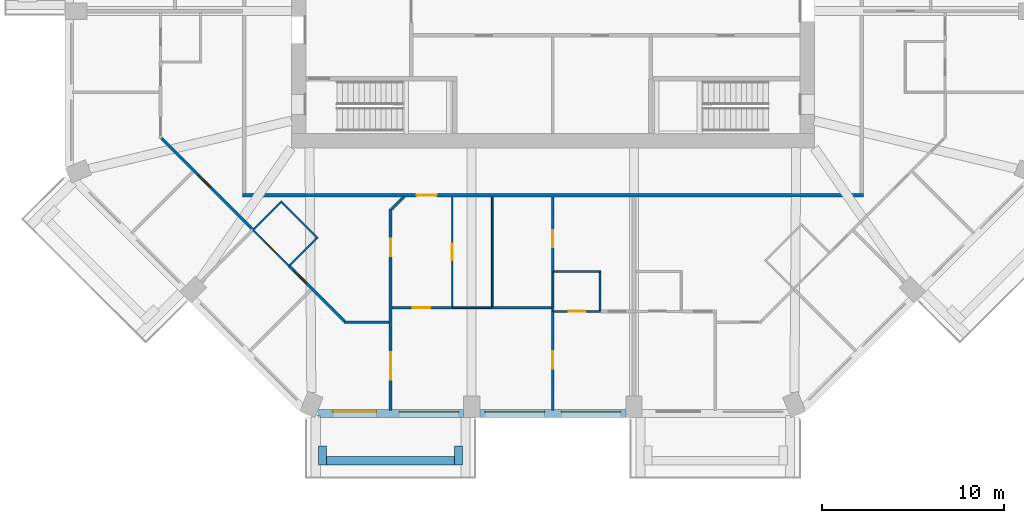
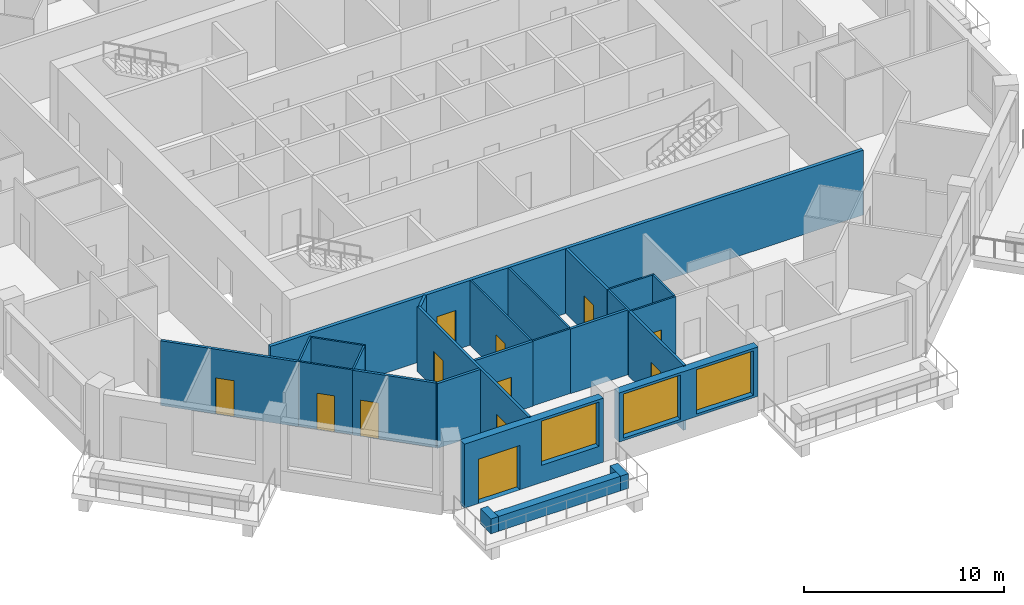
# One storey, part 3 of 13: 26 walls, 12 doors, 3 windows, 15 openings.
"""IFC4 building model written with IfcOpenShell, lengths in metres."""

from ifc_helpers import new_model, si_unit, direction, frame, frame_2d, origin, place, context, subcontext, project, spatial, rectangle, extrude, material, layer, layer_set, type_object, element, fill, save


model = new_model("IFC4")

# Units and contexts
model_context = context("Model", 3, precision=1e-05, world=origin(), true_north=direction((0.0, 1.0)))
body_context = subcontext(model_context, "Body", "Model", "MODEL_VIEW")
ifc_project = project(units=[si_unit("LENGTHUNIT", "METRE"), si_unit("AREAUNIT", "SQUARE_METRE"), si_unit("VOLUMEUNIT", "CUBIC_METRE"), si_unit("PLANEANGLEUNIT", "RADIAN"), si_unit("MASSUNIT", "GRAM", prefix="KILO")], contexts=[model_context])

# Site, building, storey
site_placement = place(None, origin())
site = spatial("IfcSite", under=ifc_project, at=site_placement, CompositionType="ELEMENT")
building_placement = place(site_placement, origin())
building = spatial("IfcBuilding", under=site, at=building_placement, Name="Msitu Wima Residences", CompositionType="ELEMENT")
storey_placement = place(building_placement, frame((0.0, 0.0, 114.89990234375)))
storey = spatial("IfcBuildingStorey", under=building, at=storey_placement, Name="L26", CompositionType="ELEMENT", Elevation=114.89990234375)

# Walls
ifc_material_1 = material(Name="Facing brick")
ifc_layer_1 = layer(ifc_material_1, 0.06494140625, Name="Facing brick")
ifc_material_2 = material(Name="Concrete C40/50", Category="concrete")
ifc_layer_2 = layer(ifc_material_2, 0.156005859375, Name="Concrete C40/50")
ifc_material_3 = material(Name="Waterproofing membrane")
ifc_layer_3 = layer(ifc_material_3, 0.00390625, Name="Waterproofing membrane")
ifc_material_4 = material(Name="Planting soil and planting")
ifc_layer_4 = layer(ifc_material_4, 0.22509765625, Name="Planting soil and planting")
ifc_layer_set_1 = layer_set([ifc_layer_1, ifc_layer_2, ifc_layer_3, ifc_layer_4], Name="Concrete C40/50")
wall_type_1 = type_object("IfcWallType", Name="Balcony planter PLANTER PL450", PredefinedType="USERDEFINED", material=ifc_layer_set_1)
wall_1_placement = place(storey_placement, frame((-12.455810546875, -29.22509765625, 0.0), z_axis=(0.0, 0.0, 1.0), x_axis=(1.0, 0.0, 0.0)))
element("IfcWall", 1, at=wall_1_placement, inside=storey, type_object=wall_type_1, Name="Balcony planter S0 L26", ObjectType="PLANTER", PredefinedType="USERDEFINED", context=body_context, shape_type="SweptSolid", body=[
    extrude(rectangle(XDim=7.037109375, YDim=0.449951171875, at=frame_2d((3.5185546875, 0.0))), origin(), (0.0, 0.0, 1.0), 0.900146484375),
])
for number, where, z_axis, x_axis, name in (
    (2, (-12.680908203125, -28.39990234375, 0.0), (0.0, 0.0, 1.0), (0.0, -1.0, 0.0), "Balcony planter S0 L26"),
    (3, (-5.193603515625, -28.39990234375, 0.0), (0.0, 0.0, 1.0), (0.0, -1.0, 0.0), "Balcony planter S0 L26"),
):
    element("IfcWall", number, at=place(storey_placement, frame(where, z_axis=z_axis, x_axis=x_axis)), inside=storey, type_object=wall_type_1, Name=name, ObjectType="PLANTER", PredefinedType="USERDEFINED", context=body_context, shape_type="SweptSolid", body=[
        extrude(rectangle(XDim=1.050048828125, YDim=0.449951171875, at=frame_2d((0.52490234375, 0.0))), origin(), (0.0, 0.0, 1.0), 0.900146484375),
    ])

# Wall, openings, door, window
ifc_material_5 = material(Name="Brick (red buff mix)", Category="masonry")
ifc_layer_5 = layer(ifc_material_5, 0.449951171875)
ifc_layer_set_2 = layer_set([ifc_layer_5], Name="Brick (red buff mix)")
wall_type_2 = type_object("IfcWallType", Name="Brick infill wall BW450", PredefinedType="SOLIDWALL", material=ifc_layer_set_2)
wall_2_placement = place(storey_placement, frame((-12.918701171875, -26.625, 0.0), z_axis=(0.0, 0.0, 1.0), x_axis=(1.0, 0.0, 0.0)))
wall_2 = element("IfcWall", 4, at=wall_2_placement, inside=storey, type_object=wall_type_2, Name="Brick infill wall L26 S0", PredefinedType="SOLIDWALL", context=body_context, shape_type="SweptSolid", body=[
    extrude(rectangle(XDim=8.0, YDim=0.449951171875, at=frame_2d((4.0, 0.0))), origin(), (0.0, 0.0, 1.0), 3.900146484375),
])
opening_1_placement = place(wall_2_placement, frame((0.800048828125, 0.0, 0.0)))
opening_1 = element("IfcOpeningElement", 5, at=opening_1_placement, cuts=wall_2, Name="Opening D25-26.006", PredefinedType="OPENING", context=body_context, shape_type="SweptSolid", body=[
    extrude(rectangle(XDim=2.39990234375, YDim=2.699951171875, at=frame_2d((1.199951171875, 1.35009765625))), frame((0.0, 0.23486328125, 0.0), z_axis=(0.0, -1.0, 0.0), x_axis=(1.0, 0.0, 0.0)), (0.0, 0.0, 1.0), 0.469970703125),
])
opening_2_placement = place(wall_2_placement, frame((4.4501953125, 0.0, 1.050048828125)))
opening_2 = element("IfcOpeningElement", 6, at=opening_2_placement, cuts=wall_2, Name="Opening W25-26.016", PredefinedType="OPENING", context=body_context, shape_type="SweptSolid", body=[
    extrude(rectangle(XDim=3.300048828125, YDim=2.699951171875, at=frame_2d((1.64990234375, 1.35009765625))), frame((0.0, 0.23486328125, 0.0), z_axis=(0.0, -1.0, 0.0), x_axis=(1.0, 0.0, 0.0)), (0.0, 0.0, 1.0), 0.469970703125),
])
ifc_material_6 = material(Name="Anodised aluminium, bronze finish, clear low-emissivity double glazing", Category="aluminium")
door_type_1 = type_object("IfcDoorType", Name="Balcony door D2400x2700", OperationType="SLIDING_TO_LEFT", PredefinedType="DOOR", material=ifc_material_6)
door_1_placement = place(opening_1_placement, origin())
door_1 = element("IfcDoor", 7, at=door_1_placement, inside=storey, type_object=door_type_1, Name="Balcony door L26 S0", OperationType="SINGLE_SWING_LEFT", OverallHeight=2.699951171875, OverallWidth=2.39990234375, PredefinedType="DOOR", context=body_context, shape_type="SweptSolid", body=[
    extrude(rectangle(XDim=2.39990234375, YDim=2.699951171875, at=frame_2d((1.199951171875, 1.35009765625))), frame((0.0, 0.1298828125, 0.0), z_axis=(0.0, -1.0, 0.0), x_axis=(1.0, 0.0, 0.0)), (0.0, 0.0, 1.0), 0.050048828125),
])
fill(opening_1, door_1)
window_type = type_object("IfcWindowType", Name="Window W3300x2700", PartitioningType="DOUBLE_PANEL_VERTICAL", PredefinedType="WINDOW", material=ifc_material_6)
window_1_placement = place(opening_2_placement, origin())
window_1 = element("IfcWindow", 8, at=window_1_placement, inside=storey, type_object=window_type, Name="Window L26 S0.2", OverallHeight=2.699951171875, OverallWidth=3.300048828125, PartitioningType="SINGLE_PANEL", PredefinedType="WINDOW", context=body_context, shape_type="SweptSolid", body=[
    extrude(rectangle(XDim=3.300048828125, YDim=2.699951171875, at=frame_2d((1.64990234375, 1.35009765625))), frame((0.0, 0.135009765625, 0.0), z_axis=(0.0, -1.0, 0.0), x_axis=(1.0, 0.0, 0.0)), (0.0, 0.0, 1.0), 0.06005859375),
])
fill(opening_2, window_1)

# Wall, openings, windows
wall_3_placement = place(storey_placement, frame((-4.0185546875, -26.625, 0.900146484375), z_axis=(0.0, 0.0, 1.0), x_axis=(1.0, 0.0, 0.0)))
wall_3 = element("IfcWall", 9, at=wall_3_placement, inside=storey, type_object=wall_type_2, Name="Brick infill wall L26 S1", PredefinedType="SOLIDWALL", context=body_context, shape_type="SweptSolid", body=[
    extrude(rectangle(XDim=8.037109375, YDim=0.449951171875, at=frame_2d((4.0185546875, 0.0))), origin(), (0.0, 0.0, 1.0), 3.0),
])
opening_3_placement = place(wall_3_placement, frame((0.2685546875, 0.0, 0.14990234375)))
opening_3 = element("IfcOpeningElement", 10, at=opening_3_placement, cuts=wall_3, Name="Opening W25-26.017", PredefinedType="OPENING", context=body_context, shape_type="SweptSolid", body=[
    extrude(rectangle(XDim=3.300048828125, YDim=2.699951171875, at=frame_2d((1.64990234375, 1.35009765625))), frame((0.0, 0.23486328125, 0.0), z_axis=(0.0, -1.0, 0.0), x_axis=(1.0, 0.0, 0.0)), (0.0, 0.0, 1.0), 0.469970703125),
])
opening_4_placement = place(wall_3_placement, frame((4.46875, 0.0, 0.14990234375)))
opening_4 = element("IfcOpeningElement", 11, at=opening_4_placement, cuts=wall_3, Name="Opening W25-26.018", PredefinedType="OPENING", context=body_context, shape_type="SweptSolid", body=[
    extrude(rectangle(XDim=3.300048828125, YDim=2.699951171875, at=frame_2d((1.64990234375, 1.35009765625))), frame((0.0, 0.23486328125, 0.0), z_axis=(0.0, -1.0, 0.0), x_axis=(1.0, 0.0, 0.0)), (0.0, 0.0, 1.0), 0.469970703125),
])
window_2_placement = place(opening_3_placement, origin())
window_2 = element("IfcWindow", 12, at=window_2_placement, inside=storey, type_object=window_type, Name="Window L26 S1.1", OverallHeight=2.699951171875, OverallWidth=3.300048828125, PartitioningType="SINGLE_PANEL", PredefinedType="WINDOW", context=body_context, shape_type="SweptSolid", body=[
    extrude(rectangle(XDim=3.300048828125, YDim=2.699951171875, at=frame_2d((1.64990234375, 1.35009765625))), frame((0.0, 0.135009765625, 0.0), z_axis=(0.0, -1.0, 0.0), x_axis=(1.0, 0.0, 0.0)), (0.0, 0.0, 1.0), 0.06005859375),
])
fill(opening_3, window_2)
window_3_placement = place(opening_4_placement, origin())
window_3 = element("IfcWindow", 13, at=window_3_placement, inside=storey, type_object=window_type, Name="Window L26 S1.2", OverallHeight=2.699951171875, OverallWidth=3.300048828125, PartitioningType="SINGLE_PANEL", PredefinedType="WINDOW", context=body_context, shape_type="SweptSolid", body=[
    extrude(rectangle(XDim=3.300048828125, YDim=2.699951171875, at=frame_2d((1.64990234375, 1.35009765625))), frame((0.0, 0.135009765625, 0.0), z_axis=(0.0, -1.0, 0.0), x_axis=(1.0, 0.0, 0.0)), (0.0, 0.0, 1.0), 0.06005859375),
])
fill(opening_4, window_3)

# Wall, opening, door
ifc_material_7 = material(Name="Plaster")
ifc_layer_6 = layer(ifc_material_7, 0.011962890625, Name="Plaster")
ifc_material_8 = material(Name="Concrete blockwork", Category="masonry")
ifc_layer_7 = layer(ifc_material_8, 0.176025390625, Name="Concrete blockwork")
ifc_layer_8 = layer(ifc_material_7, 0.011962890625, Name="Plaster")
ifc_layer_set_3 = layer_set([ifc_layer_6, ifc_layer_7, ifc_layer_8], Name="Concrete blockwork")
wall_type_3 = type_object("IfcWallType", Name="Corridor wall FW200", PredefinedType="PARTITIONING", material=ifc_layer_set_3)
wall_4_placement = place(storey_placement, frame((-17.10009765625, -14.60009765625, 0.0), z_axis=(0.0, 0.0, 1.0), x_axis=(1.0, 0.0, 0.0)))
wall_4 = element("IfcWall", 14, at=wall_4_placement, inside=storey, type_object=wall_type_3, Name="Corridor wall", PredefinedType="PARTITIONING", context=body_context, shape_type="SweptSolid", body=[
    extrude(rectangle(XDim=34.2001953125, YDim=0.199951171875, at=frame_2d((17.10009765625, 0.0))), origin(), (0.0, 0.0, 1.0), 3.9501953125),
])
opening_5_placement = place(wall_4_placement, frame((9.60009765625, 0.0, 0.0)))
opening_5 = element("IfcOpeningElement", 15, at=opening_5_placement, cuts=wall_4, Name="Opening D25-26.013", PredefinedType="OPENING", context=body_context, shape_type="SweptSolid", body=[
    extrude(rectangle(XDim=1.10009765625, YDim=2.39990234375, at=frame_2d((0.550048828125, 1.199951171875))), frame((0.0, 0.10986328125, 0.0), z_axis=(0.0, -1.0, 0.0), x_axis=(1.0, 0.0, 0.0)), (0.0, 0.0, 1.0), 0.219970703125),
])
ifc_material_9 = material(Name="Timber flush door, fire resisting, self-closing", Category="wood")
door_type_2 = type_object("IfcDoorType", Name="Flat entrance door D01 1100x2400", OperationType="SINGLE_SWING_LEFT", PredefinedType="DOOR", material=ifc_material_9)
door_2_placement = place(opening_5_placement, origin())
door_2 = element("IfcDoor", 16, at=door_2_placement, inside=storey, type_object=door_type_2, Name="Flat entrance door", OperationType="SINGLE_SWING_RIGHT", OverallHeight=2.39990234375, OverallWidth=1.10009765625, PredefinedType="DOOR", context=body_context, shape_type="SweptSolid", body=[
    extrude(rectangle(XDim=1.10009765625, YDim=2.39990234375, at=frame_2d((0.550048828125, 1.199951171875))), frame((0.0, 0.02490234375, 0.0), z_axis=(0.0, -1.0, 0.0), x_axis=(1.0, 0.0, 0.0)), (0.0, 0.0, 1.0), 0.050048828125),
])
fill(opening_5, door_2)

ifc_layer_9 = layer(ifc_material_7, 0.011962890625, Name="Plaster")
ifc_layer_10 = layer(ifc_material_8, 0.1259765625, Name="Concrete blockwork")
ifc_layer_11 = layer(ifc_material_7, 0.011962890625, Name="Plaster")
ifc_layer_set_4 = layer_set([ifc_layer_9, ifc_layer_10, ifc_layer_11], Name="Concrete blockwork")
wall_type_4 = type_object("IfcWallType", Name="Partition PW150", PredefinedType="PARTITIONING", material=ifc_layer_set_4)
wall_5_placement = place(storey_placement, frame((-21.546875, -11.470703125, 0.0), z_axis=(0.0, 0.0, 1.0), x_axis=(0.707106781187, -0.707106781187, 0.0)))
wall_5 = element("IfcWall", 17, at=wall_5_placement, inside=storey, type_object=wall_type_4, Name="Partition", PredefinedType="PARTITIONING", context=body_context, shape_type="SweptSolid", body=[
    extrude(rectangle(XDim=7.125, YDim=0.14990234375, at=frame_2d((3.5625, 0.0))), origin(), (0.0, 0.0, 1.0), 3.9501953125),
])
opening_6_placement = place(wall_5_placement, frame((2.85009765625, 0.0, 0.0)))
opening_6 = element("IfcOpeningElement", 18, at=opening_6_placement, cuts=wall_5, Name="Opening D25-26.062", PredefinedType="OPENING", context=body_context, shape_type="SweptSolid", body=[
    extrude(rectangle(XDim=0.949951171875, YDim=2.199951171875, at=frame_2d((0.47509765625, 1.10009765625))), frame((0.0, 0.0849609375, 0.0), z_axis=(0.0, -1.0, 0.0), x_axis=(1.0, 0.0, 0.0)), (0.0, 0.0, 1.0), 0.169921875),
])
ifc_material_10 = material(Name="Timber flush door", Category="wood")
door_type_3 = type_object("IfcDoorType", Name="Room door D12 950x2200", OperationType="SINGLE_SWING_LEFT", PredefinedType="DOOR", material=ifc_material_10)
door_3_placement = place(opening_6_placement, origin())
door_3 = element("IfcDoor", 19, at=door_3_placement, inside=storey, type_object=door_type_3, Name="Room door", OperationType="SINGLE_SWING_RIGHT", OverallHeight=2.199951171875, OverallWidth=0.949951171875, PredefinedType="DOOR", context=body_context, shape_type="SweptSolid", body=[
    extrude(rectangle(XDim=0.949951171875, YDim=2.199951171875, at=frame_2d((0.47509765625, 1.10009765625))), frame((0.0, 0.02490234375, 0.0), z_axis=(0.0, -1.0, 0.0), x_axis=(1.0, 0.0, 0.0)), (0.0, 0.0, 1.0), 0.050048828125),
])
fill(opening_6, door_3)

wall_6_placement = place(storey_placement, frame((-14.529052734375, -18.48876953125, 0.0), z_axis=(0.0, 0.0, 1.0), x_axis=(0.707135005059, -0.707078556188, 0.0)))
wall_6 = element("IfcWall", 20, at=wall_6_placement, inside=storey, type_object=wall_type_4, Name="Partition", PredefinedType="PARTITIONING", context=body_context, shape_type="SweptSolid", body=[
    extrude(rectangle(XDim=4.324951171875, YDim=0.14990234375, at=frame_2d((2.16259765625, 0.0))), origin(), (0.0, 0.0, 1.0), 3.9501953125),
])
opening_7_placement = place(wall_6_placement, frame((0.39990234375, 0.0, 0.0)))
opening_7 = element("IfcOpeningElement", 21, at=opening_7_placement, cuts=wall_6, Name="Opening D25-26.066", PredefinedType="OPENING", context=body_context, shape_type="SweptSolid", body=[
    extrude(rectangle(XDim=0.949951171875, YDim=2.199951171875, at=frame_2d((0.47509765625, 1.10009765625))), frame((0.0, 0.0849609375, 0.0), z_axis=(0.0, -1.0, 0.0), x_axis=(1.0, 0.0, 0.0)), (0.0, 0.0, 1.0), 0.169921875),
])
door_4_placement = place(opening_7_placement, origin())
door_4 = element("IfcDoor", 22, at=door_4_placement, inside=storey, type_object=door_type_3, Name="Room door", OperationType="SINGLE_SWING_LEFT", OverallHeight=2.199951171875, OverallWidth=0.949951171875, PredefinedType="DOOR", context=body_context, shape_type="SweptSolid", body=[
    extrude(rectangle(XDim=0.949951171875, YDim=2.199951171875, at=frame_2d((0.47509765625, 1.10009765625))), frame((0.0, 0.02490234375, 0.0), z_axis=(0.0, -1.0, 0.0), x_axis=(1.0, 0.0, 0.0)), (0.0, 0.0, 1.0), 0.050048828125),
])
fill(opening_7, door_4)

# Wall
wall_7_placement = place(storey_placement, frame((-11.49267578125, -21.60009765625, 0.0), z_axis=(0.0, 0.0, 1.0), x_axis=(1.0, 0.0, 0.0)))
element("IfcWall", 23, at=wall_7_placement, inside=storey, type_object=wall_type_4, Name="Partition", PredefinedType="PARTITIONING", context=body_context, shape_type="SweptSolid", body=[
    extrude(rectangle(XDim=2.48046875, YDim=0.14990234375, at=frame_2d((1.240234375, 0.0))), origin(), (0.0, 0.0, 1.0), 3.9501953125),
])

# Wall, openings, doors
wall_8_placement = place(storey_placement, frame((-8.937255859375, -26.455078125, 0.0), z_axis=(0.0, 0.0, 1.0), x_axis=(0.0, 1.0, 0.0)))
wall_8 = element("IfcWall", 24, at=wall_8_placement, inside=storey, type_object=wall_type_4, Name="Partition", PredefinedType="PARTITIONING", context=body_context, shape_type="SweptSolid", body=[
    extrude(rectangle(XDim=11.095703125, YDim=0.14990234375, at=frame_2d((5.5478515625, 0.0))), origin(), (0.0, 0.0, 1.0), 3.9501953125),
])
opening_8_placement = place(wall_8_placement, frame((8.5, 0.0, 0.0)))
opening_8 = element("IfcOpeningElement", 25, at=opening_8_placement, cuts=wall_8, Name="Opening D25-26.061", PredefinedType="OPENING", context=body_context, shape_type="SweptSolid", body=[
    extrude(rectangle(XDim=0.949951171875, YDim=2.199951171875, at=frame_2d((0.47509765625, 1.10009765625))), frame((0.0, 0.0849609375, 0.0), z_axis=(0.0, -1.0, 0.0), x_axis=(1.0, 0.0, 0.0)), (0.0, 0.0, 1.0), 0.169921875),
])
opening_9_placement = place(wall_8_placement, frame((1.699951171875, 0.0, 0.0)))
opening_9 = element("IfcOpeningElement", 26, at=opening_9_placement, cuts=wall_8, Name="Opening D25-26.070", PredefinedType="OPENING", context=body_context, shape_type="SweptSolid", body=[
    extrude(rectangle(XDim=1.5, YDim=2.199951171875, at=frame_2d((0.75, 1.10009765625))), frame((0.0, 0.0849609375, 0.0), z_axis=(0.0, -1.0, 0.0), x_axis=(1.0, 0.0, 0.0)), (0.0, 0.0, 1.0), 0.169921875),
])
ifc_material_11 = material(Name="Timber double door", Category="wood")
door_type_4 = type_object("IfcDoorType", Name="Double door D04 1500x2200", OperationType="DOUBLE_DOOR_SINGLE_SWING", PredefinedType="DOOR", material=ifc_material_11)
door_5_placement = place(opening_9_placement, origin())
door_5 = element("IfcDoor", 27, at=door_5_placement, inside=storey, type_object=door_type_4, Name="Double door", OperationType="DOUBLE_DOOR_SINGLE_SWING", OverallHeight=2.199951171875, OverallWidth=1.5, PredefinedType="DOOR", context=body_context, shape_type="SweptSolid", body=[
    extrude(rectangle(XDim=1.5, YDim=2.199951171875, at=frame_2d((0.75, 1.10009765625))), frame((0.0, 0.02490234375, 0.0), z_axis=(0.0, -1.0, 0.0), x_axis=(1.0, 0.0, 0.0)), (0.0, 0.0, 1.0), 0.050048828125),
])
fill(opening_9, door_5)
door_6_placement = place(opening_8_placement, origin())
door_6 = element("IfcDoor", 28, at=door_6_placement, inside=storey, type_object=door_type_3, Name="Room door", OperationType="SINGLE_SWING_RIGHT", OverallHeight=2.199951171875, OverallWidth=0.949951171875, PredefinedType="DOOR", context=body_context, shape_type="SweptSolid", body=[
    extrude(rectangle(XDim=0.949951171875, YDim=2.199951171875, at=frame_2d((0.47509765625, 1.10009765625))), frame((0.0, 0.02490234375, 0.0), z_axis=(0.0, -1.0, 0.0), x_axis=(1.0, 0.0, 0.0)), (0.0, 0.0, 1.0), 0.050048828125),
])
fill(opening_8, door_6)

# Wall, opening, door
wall_9_placement = place(storey_placement, frame((-8.8623046875, -20.800048828125, 0.0), z_axis=(0.0, 0.0, 1.0), x_axis=(1.0, 0.0, 0.0)))
wall_9 = element("IfcWall", 29, at=wall_9_placement, inside=storey, type_object=wall_type_4, Name="Partition", PredefinedType="PARTITIONING", context=body_context, shape_type="SweptSolid", body=[
    extrude(rectangle(XDim=3.344970703125, YDim=0.14990234375, at=frame_2d((1.67236328125, 0.0))), origin(), (0.0, 0.0, 1.0), 3.9501953125),
])
opening_10_placement = place(wall_9_placement, frame((1.14990234375, 0.0, 0.0)))
opening_10 = element("IfcOpeningElement", 30, at=opening_10_placement, cuts=wall_9, Name="Opening D25-26.065", PredefinedType="OPENING", context=body_context, shape_type="SweptSolid", body=[
    extrude(rectangle(XDim=0.949951171875, YDim=2.199951171875, at=frame_2d((0.47509765625, 1.10009765625))), frame((0.0, 0.0849609375, 0.0), z_axis=(0.0, -1.0, 0.0), x_axis=(1.0, 0.0, 0.0)), (0.0, 0.0, 1.0), 0.169921875),
])
door_7_placement = place(opening_10_placement, origin())
door_7 = element("IfcDoor", 31, at=door_7_placement, inside=storey, type_object=door_type_3, Name="Room door", OperationType="SINGLE_SWING_RIGHT", OverallHeight=2.199951171875, OverallWidth=0.949951171875, PredefinedType="DOOR", context=body_context, shape_type="SweptSolid", body=[
    extrude(rectangle(XDim=0.949951171875, YDim=2.199951171875, at=frame_2d((0.47509765625, 1.10009765625))), frame((0.0, 0.02490234375, 0.0), z_axis=(0.0, -1.0, 0.0), x_axis=(1.0, 0.0, 0.0)), (0.0, 0.0, 1.0), 0.050048828125),
])
fill(opening_10, door_7)

# Walls
wall_10_placement = place(storey_placement, frame((-8.88427734375, -15.38134765625, 0.0), z_axis=(0.0, 0.0, 1.0), x_axis=(0.707106781187, 0.707106781187, 0.0)))
element("IfcWall", 32, at=wall_10_placement, inside=storey, type_object=wall_type_4, Name="Partition", PredefinedType="PARTITIONING", context=body_context, shape_type="SweptSolid", body=[
    extrude(rectangle(XDim=1.005126953125, YDim=0.14990234375, at=frame_2d((0.50244140625, 0.0))), origin(), (0.0, 0.0, 1.0), 3.9501953125),
])
wall_11_placement = place(storey_placement, frame((-3.357177734375, -20.800048828125, 0.0), z_axis=(0.0, 0.0, 1.0), x_axis=(1.0, 0.0, 0.0)))
element("IfcWall", 33, at=wall_11_placement, inside=storey, type_object=wall_type_4, Name="Partition", PredefinedType="PARTITIONING", context=body_context, shape_type="SweptSolid", body=[
    extrude(rectangle(XDim=3.30712890625, YDim=0.14990234375, at=frame_2d((1.653564453125, 0.0))), origin(), (0.0, 0.0, 1.0), 3.9501953125),
])

# Wall, opening, door
wall_12_placement = place(storey_placement, frame((0.0, -26.455078125, 0.0), z_axis=(0.0, 0.0, 1.0), x_axis=(0.0, 1.0, 0.0)))
wall_12 = element("IfcWall", 34, at=wall_12_placement, inside=storey, type_object=wall_type_4, Name="Partition", PredefinedType="PARTITIONING", context=body_context, shape_type="SweptSolid", body=[
    extrude(rectangle(XDim=5.47509765625, YDim=0.14990234375, at=frame_2d((2.737548828125, 0.0))), origin(), (0.0, 0.0, 1.0), 3.9501953125),
])
opening_11_placement = place(wall_12_placement, frame((2.300048828125, 0.0, 0.0)))
opening_11 = element("IfcOpeningElement", 35, at=opening_11_placement, cuts=wall_12, Name="Opening D25-26.072", PredefinedType="OPENING", context=body_context, shape_type="SweptSolid", body=[
    extrude(rectangle(XDim=0.949951171875, YDim=2.199951171875, at=frame_2d((0.47509765625, 1.10009765625))), frame((0.0, 0.0849609375, 0.0), z_axis=(0.0, -1.0, 0.0), x_axis=(1.0, 0.0, 0.0)), (0.0, 0.0, 1.0), 0.169921875),
])
door_8_placement = place(opening_11_placement, origin())
door_8 = element("IfcDoor", 36, at=door_8_placement, inside=storey, type_object=door_type_3, Name="Room door", OperationType="SINGLE_SWING_RIGHT", OverallHeight=2.199951171875, OverallWidth=0.949951171875, PredefinedType="DOOR", context=body_context, shape_type="SweptSolid", body=[
    extrude(rectangle(XDim=0.949951171875, YDim=2.199951171875, at=frame_2d((0.47509765625, 1.10009765625))), frame((0.0, 0.02490234375, 0.0), z_axis=(0.0, -1.0, 0.0), x_axis=(1.0, 0.0, 0.0)), (0.0, 0.0, 1.0), 0.050048828125),
])
fill(opening_11, door_8)

wall_13_placement = place(storey_placement, frame((0.0, -18.820068359375, 0.0), z_axis=(0.0, 0.0, 1.0), x_axis=(0.0, 1.0, 0.0)))
wall_13 = element("IfcWall", 37, at=wall_13_placement, inside=storey, type_object=wall_type_4, Name="Partition", PredefinedType="PARTITIONING", context=body_context, shape_type="SweptSolid", body=[
    extrude(rectangle(XDim=4.1201171875, YDim=0.14990234375, at=frame_2d((2.06005859375, 0.0))), origin(), (0.0, 0.0, 1.0), 3.9501953125),
])
opening_12_placement = place(wall_13_placement, frame((1.35009765625, 0.0, 0.0)))
opening_12 = element("IfcOpeningElement", 38, at=opening_12_placement, cuts=wall_13, Name="Opening D25-26.076", PredefinedType="OPENING", context=body_context, shape_type="SweptSolid", body=[
    extrude(rectangle(XDim=0.949951171875, YDim=2.199951171875, at=frame_2d((0.47509765625, 1.10009765625))), frame((0.0, 0.0849609375, 0.0), z_axis=(0.0, -1.0, 0.0), x_axis=(1.0, 0.0, 0.0)), (0.0, 0.0, 1.0), 0.169921875),
])
door_9_placement = place(opening_12_placement, origin())
door_9 = element("IfcDoor", 39, at=door_9_placement, inside=storey, type_object=door_type_3, Name="Room door", OperationType="SINGLE_SWING_RIGHT", OverallHeight=2.199951171875, OverallWidth=0.949951171875, PredefinedType="DOOR", context=body_context, shape_type="SweptSolid", body=[
    extrude(rectangle(XDim=0.949951171875, YDim=2.199951171875, at=frame_2d((0.47509765625, 1.10009765625))), frame((0.0, 0.02490234375, 0.0), z_axis=(0.0, -1.0, 0.0), x_axis=(1.0, 0.0, 0.0)), (0.0, 0.0, 1.0), 0.050048828125),
])
fill(opening_12, door_9)

# Wall
ifc_material_12 = material(Name="Ceramic tiles")
ifc_layer_12 = layer(ifc_material_12, 0.008056640625, Name="Ceramic tiles")
ifc_material_13 = material(Name="Moisture-resistant board")
ifc_layer_13 = layer(ifc_material_13, 0.012451171875, Name="Moisture-resistant board")
ifc_material_14 = material(Name="Light-gauge stud framing with mineral wool")
ifc_layer_14 = layer(ifc_material_14, 0.06689453125, Name="Light-gauge stud framing with mineral wool")
ifc_layer_15 = layer(ifc_material_13, 0.012451171875, Name="Moisture-resistant board")
ifc_layer_set_5 = layer_set([ifc_layer_12, ifc_layer_13, ifc_layer_14, ifc_layer_15], Name="Light-gauge stud framing with mineral wool")
wall_type_5 = type_object("IfcWallType", Name="Wet wall PW100", PredefinedType="PARTITIONING", material=ifc_layer_set_5)
wall_14_placement = place(storey_placement, frame((-16.49462890625, -16.49462890625, 0.0), z_axis=(0.0, 0.0, 1.0), x_axis=(0.707106781187, 0.707106781187, 0.0)))
element("IfcWall", 40, at=wall_14_placement, inside=storey, type_object=wall_type_5, Name="Wet wall", PredefinedType="PARTITIONING", context=body_context, shape_type="SweptSolid", body=[
    extrude(rectangle(XDim=2.22998046875, YDim=0.10009765625, at=frame_2d((1.114990234375, 0.0))), origin(), (0.0, 0.0, 1.0), 3.9501953125),
])

# Wall, opening, door
wall_15_placement = place(storey_placement, frame((-16.5087890625, -16.5087890625, 0.0), z_axis=(0.0, 0.0, 1.0), x_axis=(0.707063182409, -0.707150377276, 0.0)))
wall_15 = element("IfcWall", 41, at=wall_15_placement, inside=storey, type_object=wall_type_5, Name="Wet wall", PredefinedType="PARTITIONING", context=body_context, shape_type="SweptSolid", body=[
    extrude(rectangle(XDim=2.800048828125, YDim=0.10009765625, at=frame_2d((1.39990234375, 0.0))), origin(), (0.0, 0.0, 1.0), 3.9501953125),
])
opening_13_placement = place(wall_15_placement, frame((0.949951171875, 0.0, 0.0)))
opening_13 = element("IfcOpeningElement", 42, at=opening_13_placement, cuts=wall_15, Name="Opening D25-26.067", PredefinedType="OPENING", context=body_context, shape_type="SweptSolid", body=[
    extrude(rectangle(XDim=0.89990234375, YDim=2.199951171875, at=frame_2d((0.449951171875, 1.10009765625))), frame((0.0, 0.06005859375, 0.0), z_axis=(0.0, -1.0, 0.0), x_axis=(1.0, 0.0, 0.0)), (0.0, 0.0, 1.0), 0.1201171875),
])
ifc_material_15 = material(Name="Timber flush door, moisture resistant", Category="wood")
door_type_5 = type_object("IfcDoorType", Name="Bathroom door D03 900x2200", OperationType="SINGLE_SWING_LEFT", PredefinedType="DOOR", material=ifc_material_15)
door_10_placement = place(opening_13_placement, origin())
door_10 = element("IfcDoor", 43, at=door_10_placement, inside=storey, type_object=door_type_5, Name="Bathroom door", OperationType="SINGLE_SWING_RIGHT", OverallHeight=2.199951171875, OverallWidth=0.89990234375, PredefinedType="DOOR", context=body_context, shape_type="SweptSolid", body=[
    extrude(rectangle(XDim=0.89990234375, YDim=2.199951171875, at=frame_2d((0.449951171875, 1.10009765625))), frame((0.0, 0.02490234375, 0.0), z_axis=(0.0, -1.0, 0.0), x_axis=(1.0, 0.0, 0.0)), (0.0, 0.0, 1.0), 0.050048828125),
])
fill(opening_13, door_10)

# Walls
wall_16_placement = place(storey_placement, frame((-14.917724609375, -14.988525390625, 0.0), z_axis=(0.0, 0.0, 1.0), x_axis=(0.707063182409, -0.707150377276, 0.0)))
element("IfcWall", 44, at=wall_16_placement, inside=storey, type_object=wall_type_5, Name="Wet wall", PredefinedType="PARTITIONING", context=body_context, shape_type="SweptSolid", body=[
    extrude(rectangle(XDim=2.800048828125, YDim=0.10009765625, at=frame_2d((1.39990234375, 0.0))), origin(), (0.0, 0.0, 1.0), 3.9501953125),
])
wall_17_placement = place(storey_placement, frame((-14.49365234375, -18.453369140625, 0.0), z_axis=(0.0, 0.0, 1.0), x_axis=(0.707164905125, 0.70704865247, 0.0)))
element("IfcWall", 45, at=wall_17_placement, inside=storey, type_object=wall_type_5, Name="Wet wall", PredefinedType="PARTITIONING", context=body_context, shape_type="SweptSolid", body=[
    extrude(rectangle(XDim=2.10009765625, YDim=0.10009765625, at=frame_2d((1.050048828125, 0.0))), origin(), (0.0, 0.0, 1.0), 3.9501953125),
])
wall_18_placement = place(storey_placement, frame((-5.517333984375, -20.800048828125, 0.0), z_axis=(0.0, 0.0, 1.0), x_axis=(1.0, 0.0, 0.0)))
element("IfcWall", 46, at=wall_18_placement, inside=storey, type_object=wall_type_5, Name="Wet wall", PredefinedType="PARTITIONING", context=body_context, shape_type="SweptSolid", body=[
    extrude(rectangle(XDim=2.16015625, YDim=0.10009765625, at=frame_2d((1.080078125, 0.0))), origin(), (0.0, 0.0, 1.0), 3.9501953125),
])

# Wall, opening, door
wall_19_placement = place(storey_placement, frame((-5.537353515625, -20.72509765625, 0.0), z_axis=(0.0, 0.0, 1.0), x_axis=(0.0, 1.0, 0.0)))
wall_19 = element("IfcWall", 47, at=wall_19_placement, inside=storey, type_object=wall_type_5, Name="Wet wall", PredefinedType="PARTITIONING", context=body_context, shape_type="SweptSolid", body=[
    extrude(rectangle(XDim=6.025146484375, YDim=0.10009765625, at=frame_2d((3.0126953125, 0.0))), origin(), (0.0, 0.0, 1.0), 3.9501953125),
])
opening_14_placement = place(wall_19_placement, frame((2.550048828125, 0.0, 0.0)))
opening_14 = element("IfcOpeningElement", 48, at=opening_14_placement, cuts=wall_19, Name="Opening D25-26.063", PredefinedType="OPENING", context=body_context, shape_type="SweptSolid", body=[
    extrude(rectangle(XDim=0.89990234375, YDim=2.199951171875, at=frame_2d((0.449951171875, 1.10009765625))), frame((0.0, 0.06005859375, 0.0), z_axis=(0.0, -1.0, 0.0), x_axis=(1.0, 0.0, 0.0)), (0.0, 0.0, 1.0), 0.1201171875),
])
door_11_placement = place(opening_14_placement, origin())
door_11 = element("IfcDoor", 49, at=door_11_placement, inside=storey, type_object=door_type_5, Name="Bathroom door", OperationType="SINGLE_SWING_RIGHT", OverallHeight=2.199951171875, OverallWidth=0.89990234375, PredefinedType="DOOR", context=body_context, shape_type="SweptSolid", body=[
    extrude(rectangle(XDim=0.89990234375, YDim=2.199951171875, at=frame_2d((0.449951171875, 1.10009765625))), frame((0.0, 0.02490234375, 0.0), z_axis=(0.0, -1.0, 0.0), x_axis=(1.0, 0.0, 0.0)), (0.0, 0.0, 1.0), 0.050048828125),
])
fill(opening_14, door_11)

# Walls
wall_20_placement = place(storey_placement, frame((-3.337158203125, -20.75, 0.0), z_axis=(0.0, 0.0, 1.0), x_axis=(0.0, 1.0, 0.0)))
element("IfcWall", 50, at=wall_20_placement, inside=storey, type_object=wall_type_5, Name="Wet wall", PredefinedType="PARTITIONING", context=body_context, shape_type="SweptSolid", body=[
    extrude(rectangle(XDim=6.050048828125, YDim=0.10009765625, at=frame_2d((3.02490234375, 0.0))), origin(), (0.0, 0.0, 1.0), 3.9501953125),
])
wall_21_placement = place(storey_placement, frame((0.0, -20.97998046875, 0.0), z_axis=(0.0, 0.0, 1.0), x_axis=(0.0, 1.0, 0.0)))
element("IfcWall", 51, at=wall_21_placement, inside=storey, type_object=wall_type_5, Name="Wet wall", PredefinedType="PARTITIONING", context=body_context, shape_type="SweptSolid", body=[
    extrude(rectangle(XDim=2.159912109375, YDim=0.10009765625, at=frame_2d((1.080078125, 0.0))), origin(), (0.0, 0.0, 1.0), 3.9501953125),
])

# Wall, opening, door
wall_22_placement = place(storey_placement, frame((0.074951171875, -21.0, 0.0), z_axis=(0.0, 0.0, 1.0), x_axis=(1.0, 0.0, 0.0)))
wall_22 = element("IfcWall", 52, at=wall_22_placement, inside=storey, type_object=wall_type_5, Name="Wet wall", PredefinedType="PARTITIONING", context=body_context, shape_type="SweptSolid", body=[
    extrude(rectangle(XDim=2.545166015625, YDim=0.10009765625, at=frame_2d((1.2724609375, 0.0))), origin(), (0.0, 0.0, 1.0), 3.9501953125),
])
opening_15_placement = place(wall_22_placement, frame((0.800048828125, 0.0, 0.0)))
opening_15 = element("IfcOpeningElement", 53, at=opening_15_placement, cuts=wall_22, Name="Opening D25-26.073", PredefinedType="OPENING", context=body_context, shape_type="SweptSolid", body=[
    extrude(rectangle(XDim=0.89990234375, YDim=2.199951171875, at=frame_2d((0.449951171875, 1.10009765625))), frame((0.0, 0.06005859375, 0.0), z_axis=(0.0, -1.0, 0.0), x_axis=(1.0, 0.0, 0.0)), (0.0, 0.0, 1.0), 0.1201171875),
])
door_12_placement = place(opening_15_placement, origin())
door_12 = element("IfcDoor", 54, at=door_12_placement, inside=storey, type_object=door_type_5, Name="Bathroom door", OperationType="SINGLE_SWING_RIGHT", OverallHeight=2.199951171875, OverallWidth=0.89990234375, PredefinedType="DOOR", context=body_context, shape_type="SweptSolid", body=[
    extrude(rectangle(XDim=0.89990234375, YDim=2.199951171875, at=frame_2d((0.449951171875, 1.10009765625))), frame((0.0, 0.02490234375, 0.0), z_axis=(0.0, -1.0, 0.0), x_axis=(1.0, 0.0, 0.0)), (0.0, 0.0, 1.0), 0.050048828125),
])
fill(opening_15, door_12)

# Walls
wall_23_placement = place(storey_placement, frame((0.074951171875, -18.800048828125, 0.0), z_axis=(0.0, 0.0, 1.0), x_axis=(1.0, 0.0, 0.0)))
element("IfcWall", 55, at=wall_23_placement, inside=storey, type_object=wall_type_5, Name="Wet wall", PredefinedType="PARTITIONING", context=body_context, shape_type="SweptSolid", body=[
    extrude(rectangle(XDim=2.574951171875, YDim=0.10009765625, at=frame_2d((1.28759765625, 0.0))), origin(), (0.0, 0.0, 1.0), 3.9501953125),
])
wall_24_placement = place(storey_placement, frame((2.60009765625, -20.925048828125, 0.0), z_axis=(0.0, 0.0, 1.0), x_axis=(0.0, 1.0, 0.0)))
element("IfcWall", 56, at=wall_24_placement, inside=storey, type_object=wall_type_5, Name="Wet wall", PredefinedType="PARTITIONING", context=body_context, shape_type="SweptSolid", body=[
    extrude(rectangle(XDim=2.074951171875, YDim=0.10009765625, at=frame_2d((1.03759765625, 0.0))), origin(), (0.0, 0.0, 1.0), 3.9501953125),
])

save(model, "model.ifc")
